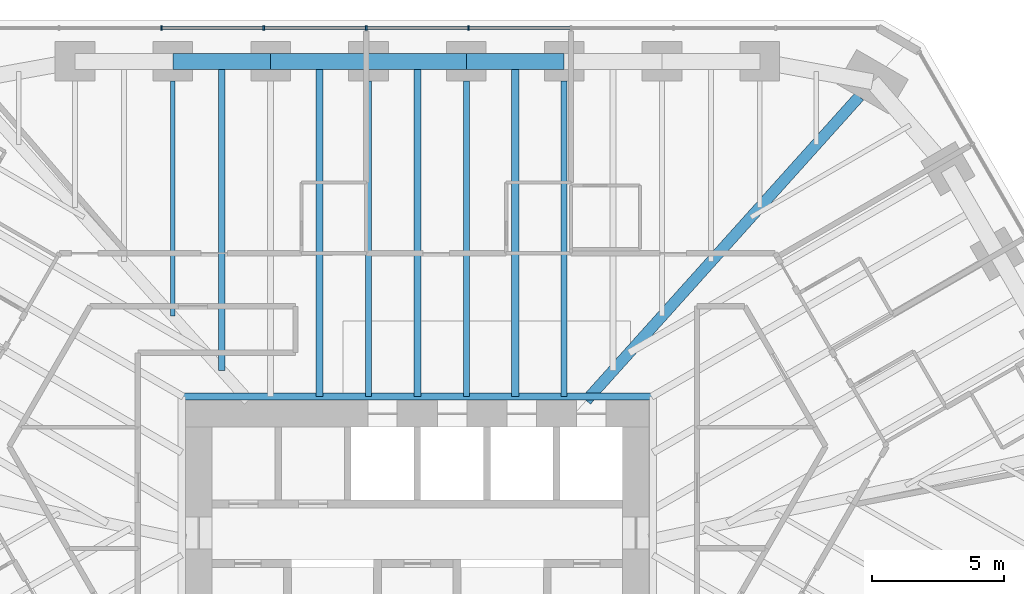
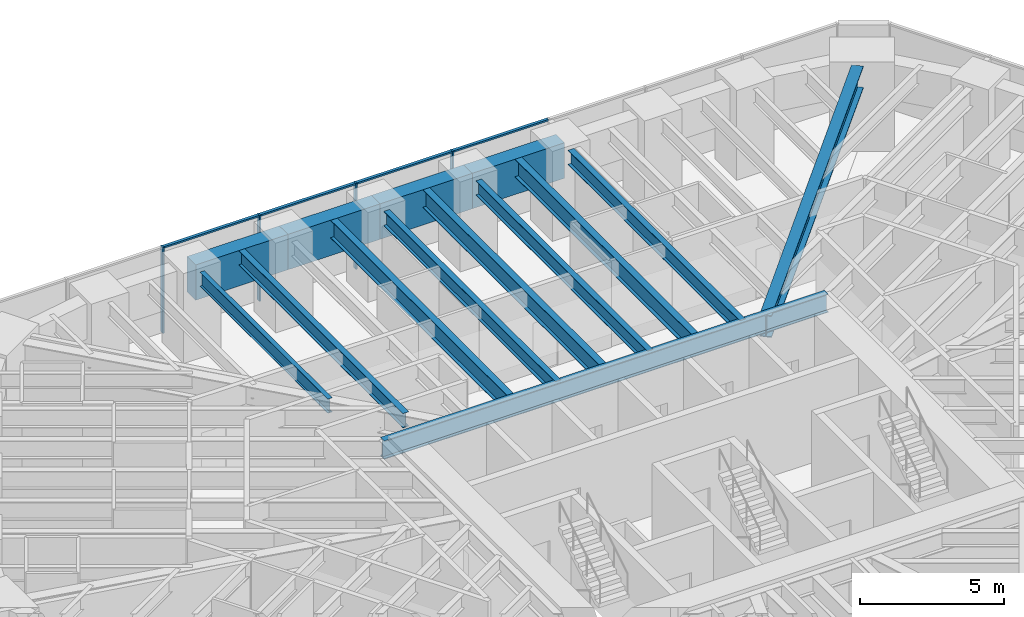
# One storey, part 8 of 17: 14 beams, 8 members, 1 element without a shape of its own.
"""IFC4 building model written with IfcOpenShell, lengths in metres."""

from ifc_helpers import new_model, si_unit, direction, frame, origin, origin_2d, place, context, subcontext, project, spatial, rectangle, i_section, extrude, material, material_profile, profile_set, type_object, element, aggregate, save


model = new_model("IFC4")

# Units and contexts
model_context = context("Model", 3, precision=1e-05, world=origin(), true_north=direction((0.0, 1.0)))
body_context = subcontext(model_context, "Body", "Model", "MODEL_VIEW")
ifc_project = project(units=[si_unit("LENGTHUNIT", "METRE"), si_unit("AREAUNIT", "SQUARE_METRE"), si_unit("VOLUMEUNIT", "CUBIC_METRE"), si_unit("PLANEANGLEUNIT", "RADIAN"), si_unit("MASSUNIT", "GRAM", prefix="KILO")], contexts=[model_context])

# Site, building, storey
site_placement = place(None, origin())
site = spatial("IfcSite", under=ifc_project, at=site_placement, CompositionType="ELEMENT")
building_placement = place(site_placement, origin())
building = spatial("IfcBuilding", under=site, at=building_placement, Name="Sandreach Pilgrim Tower", CompositionType="ELEMENT")
storey_placement = place(building_placement, frame((0.0, 0.0, 198.39990234375)))
storey = spatial("IfcBuildingStorey", under=building, at=storey_placement, Name="L49", CompositionType="ELEMENT", Elevation=198.39990234375)

# Curtain wall, members
ifc_material_1 = material(Name="Aluminium framed curtain wall", Category="aluminium")
curtain_wall_type = type_object("IfcCurtainWallType", Name="Upper hotel tower curtain wall", PredefinedType="NOTDEFINED", material=ifc_material_1)
curtain_wall_placement = place(storey_placement, origin())
curtain_wall = element("IfcCurtainWall", 1, at=curtain_wall_placement, inside=storey, type_object=curtain_wall_type, Name="CW-3 L49 N", PredefinedType="NOTDEFINED")
ifc_material_2 = material(Name="Aluminium extrusion", Category="aluminium")
ifc_material_profile_1 = material_profile(ifc_material_2, rectangle(XDim=0.06494140625, YDim=0.159912109375, at=origin_2d()), Name="CW-3M 65X160")
ifc_profile_set_1 = profile_set([ifc_material_profile_1], Name="Aluminium extrusion")
member_type_1 = type_object("IfcMemberType", Name="CW-3 mullion", PredefinedType="MULLION", material=ifc_profile_set_1)
member_1_placement = place(storey_placement, frame((-9.6611328125, 21.16015625, 0.0), z_axis=(0.0, 0.0, 1.0), x_axis=(1.0, 0.0, 0.0)))
member_1 = element("IfcMember", 2, at=member_1_placement, type_object=member_type_1, Name="CW-3 mullion 3", PredefinedType="MULLION", context=body_context, shape_type="SweptSolid", body=[
    extrude(rectangle(XDim=0.06494140625, YDim=0.159912109375, at=origin_2d()), origin(), (0.0, 0.0, 1.0), 3.64013671875),
])
member_2_placement = place(storey_placement, frame((-5.796630859375, 21.16015625, 0.0), z_axis=(0.0, 0.0, 1.0), x_axis=(1.0, 0.0, 0.0)))
member_2 = element("IfcMember", 3, at=member_2_placement, type_object=member_type_1, Name="CW-3 mullion 4", PredefinedType="MULLION", context=body_context, shape_type="SweptSolid", body=[
    extrude(rectangle(XDim=0.06494140625, YDim=0.159912109375, at=origin_2d()), origin(), (0.0, 0.0, 1.0), 3.64013671875),
])
member_3_placement = place(storey_placement, frame((-1.93212890625, 21.16015625, 0.0), z_axis=(0.0, 0.0, 1.0), x_axis=(1.0, 0.0, 0.0)))
member_3 = element("IfcMember", 4, at=member_3_placement, type_object=member_type_1, Name="CW-3 mullion 5", PredefinedType="MULLION", context=body_context, shape_type="SweptSolid", body=[
    extrude(rectangle(XDim=0.06494140625, YDim=0.159912109375, at=origin_2d()), origin(), (0.0, 0.0, 1.0), 3.64013671875),
])
member_4_placement = place(storey_placement, frame((1.93212890625, 21.16015625, 0.0), z_axis=(0.0, 0.0, 1.0), x_axis=(1.0, 0.0, 0.0)))
member_4 = element("IfcMember", 5, at=member_4_placement, type_object=member_type_1, Name="CW-3 mullion 6", PredefinedType="MULLION", context=body_context, shape_type="SweptSolid", body=[
    extrude(rectangle(XDim=0.06494140625, YDim=0.159912109375, at=origin_2d()), origin(), (0.0, 0.0, 1.0), 3.64013671875),
])
ifc_material_3 = material(Name="Aluminium extrusion", Category="aluminium")
ifc_material_profile_2 = material_profile(ifc_material_3, rectangle(XDim=0.1201171875, YDim=0.070068359375, at=origin_2d()), Name="CW-3T 120X70")
ifc_profile_set_2 = profile_set([ifc_material_profile_2], Name="Aluminium extrusion")
member_type_2 = type_object("IfcMemberType", Name="CW-3 transom", PredefinedType="USERDEFINED", material=ifc_profile_set_2)
member_5_placement = place(storey_placement, frame((-9.628662109375, 21.16015625, 3.60498046875), z_axis=(1.0, 0.0, 0.0), x_axis=(0.0, 1.0, 0.0)))
member_5 = element("IfcMember", 6, at=member_5_placement, type_object=member_type_2, Name="CW-3 head transom 3", ObjectType="TRANSOM", PredefinedType="USERDEFINED", context=body_context, shape_type="SweptSolid", body=[
    extrude(rectangle(XDim=0.1201171875, YDim=0.070068359375, at=origin_2d()), origin(), (0.0, 0.0, 1.0), 3.799560546875),
])
member_6_placement = place(storey_placement, frame((-5.76416015625, 21.16015625, 3.60498046875), z_axis=(1.0, 0.0, 0.0), x_axis=(0.0, 1.0, 0.0)))
member_6 = element("IfcMember", 7, at=member_6_placement, type_object=member_type_2, Name="CW-3 head transom 4", ObjectType="TRANSOM", PredefinedType="USERDEFINED", context=body_context, shape_type="SweptSolid", body=[
    extrude(rectangle(XDim=0.1201171875, YDim=0.070068359375, at=origin_2d()), origin(), (0.0, 0.0, 1.0), 3.799560546875),
])
member_7_placement = place(storey_placement, frame((-1.899658203125, 21.16015625, 3.60498046875), z_axis=(1.0, 0.0, 0.0), x_axis=(0.0, 1.0, 0.0)))
member_7 = element("IfcMember", 8, at=member_7_placement, type_object=member_type_2, Name="CW-3 head transom 5", ObjectType="TRANSOM", PredefinedType="USERDEFINED", context=body_context, shape_type="SweptSolid", body=[
    extrude(rectangle(XDim=0.1201171875, YDim=0.070068359375, at=origin_2d()), origin(), (0.0, 0.0, 1.0), 3.79931640625),
])
member_8_placement = place(storey_placement, frame((1.964599609375, 21.16015625, 3.60498046875), z_axis=(1.0, 0.0, 0.0), x_axis=(0.0, 1.0, 0.0)))
member_8 = element("IfcMember", 9, at=member_8_placement, type_object=member_type_2, Name="CW-3 head transom 6", ObjectType="TRANSOM", PredefinedType="USERDEFINED", context=body_context, shape_type="SweptSolid", body=[
    extrude(rectangle(XDim=0.1201171875, YDim=0.070068359375, at=origin_2d()), origin(), (0.0, 0.0, 1.0), 3.799560546875),
])
aggregate(curtain_wall, [member_1, member_2, member_3, member_4, member_5, member_6, member_7, member_8])

# Beams
ifc_material_4 = material(Name="Steel ASTM A992 Grade 50", Category="steel")
ifc_material_profile_3 = material_profile(ifc_material_4, i_section(OverallWidth=0.2666015625, OverallDepth=0.77978515625, WebThickness=0.0166015625, FlangeThickness=0.030029296875, at=origin_2d()), Name="W30X148")
ifc_profile_set_3 = profile_set([ifc_material_profile_3], Name="Steel ASTM A992 Grade 50")
beam_type_1 = type_object("IfcBeamType", Name="Core edge beam W30X148", PredefinedType="BEAM", material=ifc_profile_set_3)
beam_1_placement = place(storey_placement, frame((-8.893310546875, 7.243408203125, 3.250244140625), z_axis=(1.0, 0.0, 0.0), x_axis=(0.0, 1.0, 0.0)))
element("IfcBeam", 10, at=beam_1_placement, inside=storey, type_object=beam_type_1, Name="BM L49 CEN", PredefinedType="BEAM", context=body_context, shape_type="SweptSolid", body=[
    extrude(i_section(OverallWidth=0.2666015625, OverallDepth=0.77978515625, WebThickness=0.0166015625, FlangeThickness=0.030029296875, at=origin_2d()), origin(), (0.0, 0.0, 1.0), 17.78662109375),
])
ifc_material_5 = material(Name="Steel ASTM A992 Grade 50", Category="steel")
ifc_material_profile_4 = material_profile(ifc_material_5, i_section(OverallWidth=0.421630859375, OverallDepth=0.937255859375, WebThickness=0.0224609375, FlangeThickness=0.039794921875, at=origin_2d()), Name="W36X282")
ifc_profile_set_4 = profile_set([ifc_material_profile_4], Name="Steel ASTM A992 Grade 50")
beam_type_2 = type_object("IfcBeamType", Name="Corner girder W36X282", PredefinedType="BEAM", material=ifc_profile_set_4)
beam_2_placement = place(storey_placement, frame((16.677001953125, 18.572509765625, 3.17138671875), z_axis=(-0.668116607722, -0.744056582853, 0.0), x_axis=(0.744056582853, -0.668116607722, 0.0)))
element("IfcBeam", 11, at=beam_2_placement, inside=storey, type_object=beam_type_2, Name="BM L49 CG09", PredefinedType="BEAM", context=body_context, shape_type="SweptSolid", body=[
    extrude(i_section(OverallWidth=0.421630859375, OverallDepth=0.937255859375, WebThickness=0.0224609375, FlangeThickness=0.039794921875, at=origin_2d()), origin(), (0.0, 0.0, 1.0), 15.418701171875),
])
ifc_material_6 = material(Name="Steel ASTM A992 Grade 50", Category="steel")
ifc_material_profile_5 = material_profile(ifc_material_6, i_section(OverallWidth=0.1787109375, OverallDepth=0.60205078125, WebThickness=0.010986328125, FlangeThickness=0.014892578125, at=origin_2d()), Name="W24X62")
ifc_profile_set_5 = profile_set([ifc_material_profile_5], Name="Steel ASTM A992 Grade 50")
beam_type_3 = type_object("IfcBeamType", Name="Floor beam W24X62", PredefinedType="BEAM", material=ifc_profile_set_5)
beam_3_placement = place(storey_placement, frame((-9.231201171875, 19.150146484375, 3.339111328125), z_axis=(0.0, -1.0, 0.0), x_axis=(1.0, 0.0, 0.0)))
element("IfcBeam", 12, at=beam_3_placement, inside=storey, type_object=beam_type_3, Name="BM L49 F02", PredefinedType="BEAM", context=body_context, shape_type="SweptSolid", body=[
    extrude(i_section(OverallWidth=0.1787109375, OverallDepth=0.60205078125, WebThickness=0.010986328125, FlangeThickness=0.014892578125, at=origin_2d()), origin(), (0.0, 0.0, 1.0), 8.86962890625),
])
ifc_material_7 = material(Name="Steel ASTM A992 Grade 50", Category="steel")
ifc_material_profile_6 = material_profile(ifc_material_7, i_section(OverallWidth=0.23046875, OverallDepth=0.6171875, WebThickness=0.01318359375, FlangeThickness=0.022216796875, at=origin_2d()), Name="W24X94")
ifc_profile_set_6 = profile_set([ifc_material_profile_6], Name="Steel ASTM A992 Grade 50")
beam_type_4 = type_object("IfcBeamType", Name="Floor beam W24X94", PredefinedType="BEAM", material=ifc_profile_set_6)
for number, where, z_axis, x_axis, name in (
    (13, (-1.84619140625, 19.150146484375, 3.33154296875), (0.0, -1.0, 0.0), (1.0, 0.0, 0.0), "BM L49 F04"),
    (14, (1.84619140625, 19.150146484375, 3.33154296875), (0.0, -1.0, 0.0), (1.0, 0.0, 0.0), "BM L49 F05"),
    (15, (5.538818359375, 19.150146484375, 3.33154296875), (0.0, -1.0, 0.0), (1.0, 0.0, 0.0), "BM L49 F06"),
):
    element("IfcBeam", number, at=place(storey_placement, frame(where, z_axis=z_axis, x_axis=x_axis)), inside=storey, type_object=beam_type_4, Name=name, PredefinedType="BEAM", context=body_context, shape_type="SweptSolid", body=[
        extrude(i_section(OverallWidth=0.23046875, OverallDepth=0.6171875, WebThickness=0.01318359375, FlangeThickness=0.022216796875, at=origin_2d()), origin(), (0.0, 0.0, 1.0), 11.90673828125),
    ])
beam_4_placement = place(storey_placement, frame((-7.385009765625, 19.900146484375, 3.33154296875), z_axis=(0.0, -1.0, 0.0), x_axis=(1.0, 0.0, 0.0)))
element("IfcBeam", 16, at=beam_4_placement, inside=storey, type_object=beam_type_4, Name="BM L49 FM02", PredefinedType="BEAM", context=body_context, shape_type="SweptSolid", body=[
    extrude(i_section(OverallWidth=0.23046875, OverallDepth=0.6171875, WebThickness=0.01318359375, FlangeThickness=0.022216796875, at=origin_2d()), origin(), (0.0, 0.0, 1.0), 11.67578125),
])
ifc_material_8 = material(Name="Steel ASTM A992 Grade 50", Category="steel")
ifc_material_profile_7 = material_profile(ifc_material_8, i_section(OverallWidth=0.2666015625, OverallDepth=0.761962890625, WebThickness=0.014404296875, FlangeThickness=0.021484375, at=origin_2d()), Name="W30X116")
ifc_profile_set_7 = profile_set([ifc_material_profile_7], Name="Steel ASTM A992 Grade 50")
beam_type_5 = type_object("IfcBeamType", Name="Floor beam W30X116", PredefinedType="BEAM", material=ifc_profile_set_7)
for number, where, z_axis, x_axis, name in (
    (17, (-3.6923828125, 19.900146484375, 3.259033203125), (0.0, -1.0, 0.0), (1.0, 0.0, 0.0), "BM L49 FM03"),
    (18, (0.0, 19.900146484375, 3.259033203125), (0.0, -1.0, 0.0), (1.0, 0.0, 0.0), "BM L49 FM04"),
    (19, (3.6923828125, 19.900146484375, 3.259033203125), (0.0, -1.0, 0.0), (1.0, 0.0, 0.0), "BM L49 FM05"),
):
    element("IfcBeam", number, at=place(storey_placement, frame(where, z_axis=z_axis, x_axis=x_axis)), inside=storey, type_object=beam_type_5, Name=name, PredefinedType="BEAM", context=body_context, shape_type="SweptSolid", body=[
        extrude(i_section(OverallWidth=0.2666015625, OverallDepth=0.761962890625, WebThickness=0.014404296875, FlangeThickness=0.021484375, at=origin_2d()), origin(), (0.0, 0.0, 1.0), 12.65673828125),
    ])
ifc_material_9 = material(Name="Concrete 10000 psi", Category="concrete")
ifc_material_profile_8 = material_profile(ifc_material_9, rectangle(XDim=0.60009765625, YDim=1.5, at=origin_2d()), Name="RC600X1500")
ifc_profile_set_8 = profile_set([ifc_material_profile_8], Name="Concrete 10000 psi")
beam_type_6 = type_object("IfcBeamType", Name="Spandrel beam RC600X1500", PredefinedType="SPANDREL", material=ifc_profile_set_8)
beam_5_placement = place(storey_placement, frame((-9.231201171875, 19.900146484375, 2.89013671875), z_axis=(1.0, 0.0, 0.0), x_axis=(0.0, 1.0, 0.0)))
element("IfcBeam", 20, at=beam_5_placement, inside=storey, type_object=beam_type_6, Name="BM L49 SP02", PredefinedType="SPANDREL", context=body_context, shape_type="SweptSolid", body=[
    extrude(rectangle(XDim=0.60009765625, YDim=1.5, at=origin_2d()), origin(), (0.0, 0.0, 1.0), 3.6923828125),
])
beam_6_placement = place(storey_placement, frame((-5.538818359375, 19.900146484375, 2.89013671875), z_axis=(1.0, 0.0, 0.0), x_axis=(0.0, 1.0, 0.0)))
element("IfcBeam", 21, at=beam_6_placement, inside=storey, type_object=beam_type_6, Name="BM L49 SP03", PredefinedType="SPANDREL", context=body_context, shape_type="SweptSolid", body=[
    extrude(rectangle(XDim=0.60009765625, YDim=1.5, at=origin_2d()), origin(), (0.0, 0.0, 1.0), 3.692626953125),
])
beam_7_placement = place(storey_placement, frame((-1.84619140625, 19.900146484375, 2.89013671875), z_axis=(1.0, 0.0, 0.0), x_axis=(0.0, 1.0, 0.0)))
element("IfcBeam", 22, at=beam_7_placement, inside=storey, type_object=beam_type_6, Name="BM L49 SP04", PredefinedType="SPANDREL", context=body_context, shape_type="SweptSolid", body=[
    extrude(rectangle(XDim=0.60009765625, YDim=1.5, at=origin_2d()), origin(), (0.0, 0.0, 1.0), 3.6923828125),
])
beam_8_placement = place(storey_placement, frame((1.84619140625, 19.900146484375, 2.89013671875), z_axis=(1.0, 0.0, 0.0), x_axis=(0.0, 1.0, 0.0)))
element("IfcBeam", 23, at=beam_8_placement, inside=storey, type_object=beam_type_6, Name="BM L49 SP05", PredefinedType="SPANDREL", context=body_context, shape_type="SweptSolid", body=[
    extrude(rectangle(XDim=0.60009765625, YDim=1.5, at=origin_2d()), origin(), (0.0, 0.0, 1.0), 3.692626953125),
])

save(model, "model.ifc")
